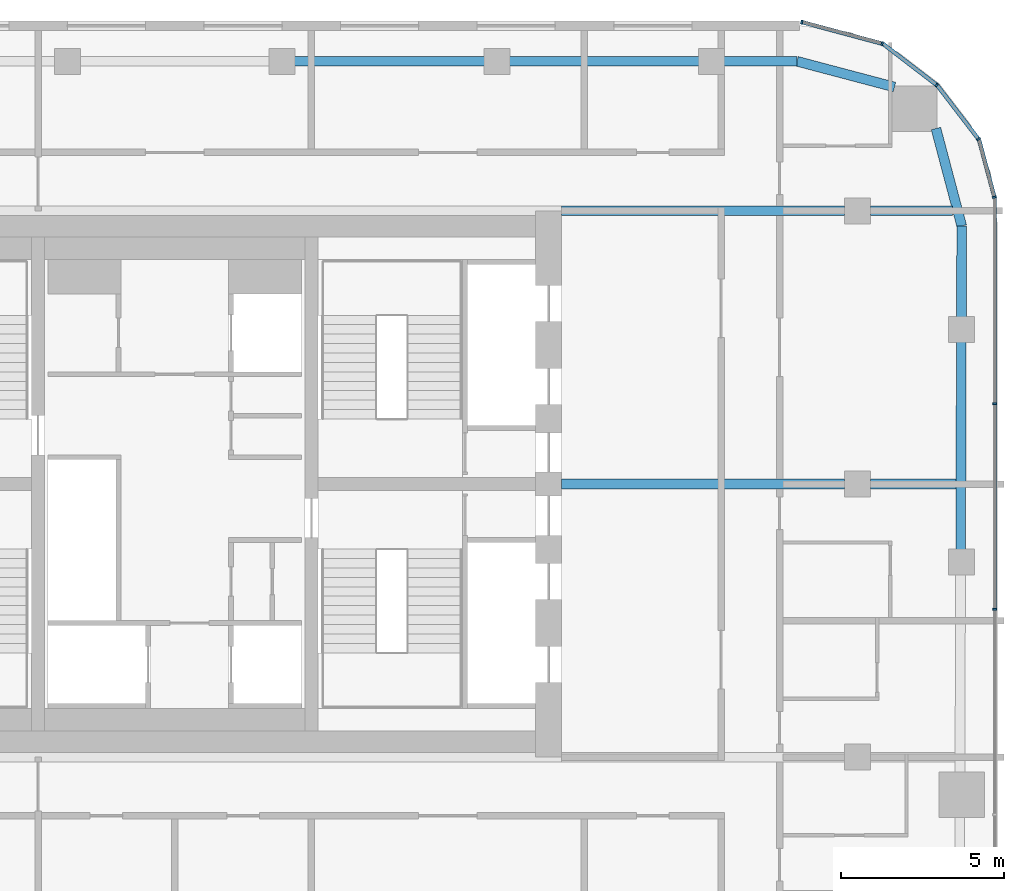
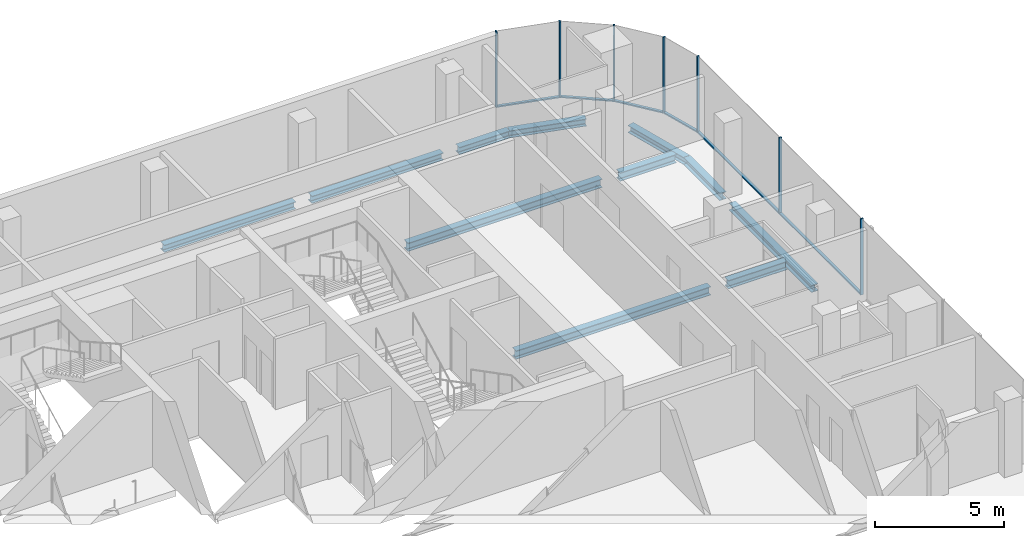
# One storey, part 11 of 22: 13 members, 11 beams, 5 elements without a shape of their own.
"""IFC4 building model written with IfcOpenShell, lengths in metres."""

import ifcopenshell
import ifcopenshell.guid

model = None  # the IFC model being written
_history = None  # IfcOwnerHistory: only IFC2X3 demands one
_inside = {}  # id of a spatial element -> (the spatial element, [elements in it])
_under = {}  # id of a project, library or spatial element -> (it, [spatial elements below it])
_declared = {}  # id of a project -> (the project, [libraries it declares])
_typed = {}  # id of a type object -> (the type object, [elements of that type])
_made_of = {}  # id of a material, layer set ... -> (it, [elements and type objects made of it])


def new_model(schema):
    """Start an empty IFC model of exactly this schema.

    Asked for "IFC4X3", IfcOpenShell would pick the latest addendum, in which some entities
    have other attributes; the version numbers below select the first issue.
    IFC2X3 requires an IfcOwnerHistory on every rooted entity: one is made here for all.
    """
    global model, _history
    if schema == "IFC4X3":
        model = ifcopenshell.file(schema_version=(4, 3, 0, 0))
    else:
        model = ifcopenshell.file(schema=schema)
    _inside.clear()
    _under.clear()
    _declared.clear()
    _typed.clear()
    _made_of.clear()
    _history = None
    if model.schema == "IFC2X3":
        org = make("IfcOrganization", Name="unknown")
        user = make(
            "IfcPersonAndOrganization",
            ThePerson=make("IfcPerson", FamilyName="unknown"),
            TheOrganization=org,
        )
        app = make(
            "IfcApplication",
            ApplicationDeveloper=org,
            Version="unknown",
            ApplicationFullName="unknown",
            ApplicationIdentifier="unknown",
        )
        _history = make(
            "IfcOwnerHistory",
            OwningUser=user,
            OwningApplication=app,
            ChangeAction="ADDED",
            CreationDate=0,
        )
    return model


def make(cls, **values):
    """One entity of the class cls with the attributes given. An attribute that is None is left unset."""
    return model.create_entity(
        cls, **{name: value for name, value in values.items() if value is not None}
    )


def rooted(cls, **values):
    """An entity with a GlobalId (a new one), such as an element, a storey or a relation."""
    return make(cls, GlobalId=ifcopenshell.guid.new(), OwnerHistory=_history, **values)


def si_unit(unit_type, name, prefix=None):
    """IfcSIUnit, for example si_unit("LENGTHUNIT", "METRE", prefix="MILLI")."""
    return make("IfcSIUnit", UnitType=unit_type, Prefix=prefix, Name=name)


def assignment(units):
    """IfcUnitAssignment: the units of a project."""
    return None if units is None else make("IfcUnitAssignment", Units=units)


def point(xyz):
    """IfcCartesianPoint."""
    return None if xyz is None else make("IfcCartesianPoint", Coordinates=xyz)


def direction(xyz):
    """IfcDirection."""
    return None if xyz is None else make("IfcDirection", DirectionRatios=xyz)


def frame(location, z_axis=None, x_axis=None):
    """IfcAxis2Placement3D, a coordinate frame: its origin and axes. An axis left out is left unset."""
    return make(
        "IfcAxis2Placement3D",
        Location=point(location),
        Axis=direction(z_axis),
        RefDirection=direction(x_axis),
    )


def frame_2d(location, x_axis=None):
    """IfcAxis2Placement2D, a coordinate frame in the plane: its origin and x axis."""
    return make(
        "IfcAxis2Placement2D", Location=point(location), RefDirection=direction(x_axis)
    )


def origin():
    """The frame at (0, 0, 0) with its axes left unset."""
    return frame((0.0, 0.0, 0.0))


def origin_2d():
    """The frame at (0, 0) in the plane with its x axis left unset."""
    return frame_2d((0.0, 0.0))


def place(relative_to, where):
    """IfcLocalPlacement: puts the frame where relative to a parent placement (None: the world)."""
    return make(
        "IfcLocalPlacement", PlacementRelTo=relative_to, RelativePlacement=where
    )


def context(
    kind, dimensions, precision=None, world=None, true_north=None, identifier=None
):
    """IfcGeometricRepresentationContext, for example the 3D "Model" context."""
    return make(
        "IfcGeometricRepresentationContext",
        ContextIdentifier=identifier,
        ContextType=kind,
        CoordinateSpaceDimension=dimensions,
        Precision=precision,
        WorldCoordinateSystem=world,
        TrueNorth=true_north,
    )


def subcontext(parent, identifier, kind, view, scale=None):
    """IfcGeometricRepresentationSubContext, for example "Body" below "Model"."""
    return make(
        "IfcGeometricRepresentationSubContext",
        ContextIdentifier=identifier,
        ContextType=kind,
        ParentContext=parent,
        TargetScale=scale,
        TargetView=view,
    )


def project(units=None, contexts=None):
    """IfcProject with its units and contexts."""
    return rooted(
        "IfcProject",
        Name="project",
        RepresentationContexts=contexts,
        UnitsInContext=assignment(units),
    )


def spatial(cls, under=None, at=None, **own):
    """A site, building, storey or space (cls), placed at a placement, below another one or the project."""
    s = rooted(cls, ObjectPlacement=at, **own)
    if under is not None:
        _under.setdefault(under.id(), (under, []))[1].append(s)
    return s


def profile(cls, at=None, kind="AREA", **sizes):
    """A parametric profile (cls). Its sizes go by their IFC names, for example OverallWidth=200.0."""
    return make(cls, ProfileType=kind, Position=at, **sizes)


def rectangle(**sizes):
    """IfcRectangleProfileDef."""
    return profile("IfcRectangleProfileDef", **sizes)


def i_section(**sizes):
    """IfcIShapeProfileDef."""
    return profile("IfcIShapeProfileDef", **sizes)


def extrude(swept, where, along, depth):
    """IfcExtrudedAreaSolid: the profile swept, set in the frame where, extruded along a direction by depth."""
    return make(
        "IfcExtrudedAreaSolid",
        SweptArea=swept,
        Position=where,
        ExtrudedDirection=direction(along),
        Depth=depth,
    )


def shape(context_of_items, identifier, shape_type, items):
    """IfcShapeRepresentation: the items that make up one representation, for example the "Body"."""
    return make(
        "IfcShapeRepresentation",
        ContextOfItems=context_of_items,
        RepresentationIdentifier=identifier,
        RepresentationType=shape_type,
        Items=items,
    )


def material(Name=None, Category=None):
    """IfcMaterial."""
    return make("IfcMaterial", Name=Name, Category=Category)


def layer(
    of_material, thickness, ventilated=None, Name=None, Category=None, Priority=None
):
    """IfcMaterialLayer: one layer of a wall or slab, of a material (None: an air gap)."""
    return make(
        "IfcMaterialLayer",
        Material=of_material,
        LayerThickness=thickness,
        IsVentilated=ventilated,
        Name=Name,
        Category=Category,
        Priority=Priority,
    )


def layer_set(layers, Name=None):
    """IfcMaterialLayerSet."""
    return make("IfcMaterialLayerSet", MaterialLayers=layers, LayerSetName=Name)


def material_profile(
    of_material, cross_section, Name=None, Category=None, Priority=None
):
    """IfcMaterialProfile: a cross section and its material."""
    return make(
        "IfcMaterialProfile",
        Name=Name,
        Material=of_material,
        Profile=cross_section,
        Priority=Priority,
        Category=Category,
    )


def profile_set(profiles, Name=None, composite=None):
    """IfcMaterialProfileSet."""
    return make(
        "IfcMaterialProfileSet",
        Name=Name,
        MaterialProfiles=profiles,
        CompositeProfile=composite,
    )


def made_of(thing, what):
    """Note that an element or type object is made of a material, layer set ...; save() writes the relation."""
    if what is not None:
        _made_of.setdefault(what.id(), (what, []))[1].append(thing)
    return thing


def type_object(cls, material=None, **own):
    """A type object (cls), such as IfcWallType, which elements share."""
    return made_of(rooted(cls, **own), material)


def element(
    cls,
    number,
    at=None,
    inside=None,
    cuts=None,
    type_object=None,
    material=None,
    context=None,
    identifier="Body",
    shape_type=None,
    held_by="IfcProductDefinitionShape",
    body=None,
    shapes=None,
    **own,
):
    """One element of the class cls, such as IfcWall. Its Tag is "e" and its number.

    at: its placement. inside: the storey or other place that contains it. cuts: it is an
    opening in that element (IfcRelVoidsElement). A single representation is given by context,
    identifier, shape_type and body (its items); several are given by shapes. held_by: the class
    of the entity that holds the representations. save() writes the other relations.
    """
    e = rooted(cls, Tag="e%d" % number, ObjectPlacement=at, **own)
    if body is not None:
        shapes = [shape(context, identifier, shape_type, body)]
    if shapes is not None:
        e.Representation = make(held_by, Representations=shapes)
    if inside is not None:
        _inside.setdefault(inside.id(), (inside, []))[1].append(e)
    if cuts is not None:
        rooted(
            "IfcRelVoidsElement", RelatingBuildingElement=cuts, RelatedOpeningElement=e
        )
    if type_object is not None:
        _typed.setdefault(type_object.id(), (type_object, []))[1].append(e)
    return made_of(e, material)


def aggregate(whole, parts):
    """IfcRelAggregates: a whole, such as a stair, and the parts it consists of."""
    return rooted("IfcRelAggregates", RelatingObject=whole, RelatedObjects=parts)


def save(model, path):
    """Write the relations noted so far, then the file.

    IfcRelAggregates (storeys below a building ...), IfcRelContainedInSpatialStructure (elements
    in a storey), IfcRelDefinesByType, IfcRelAssociatesMaterial and IfcRelDeclares: one each for
    every whole, place, type object, material and project.
    """
    for whole, parts in _under.values():
        aggregate(whole, parts)
    for where, things in _inside.values():
        rooted(
            "IfcRelContainedInSpatialStructure",
            RelatedElements=things,
            RelatingStructure=where,
        )
    for kind, things in _typed.values():
        rooted("IfcRelDefinesByType", RelatedObjects=things, RelatingType=kind)
    for what, things in _made_of.values():
        rooted("IfcRelAssociatesMaterial", RelatedObjects=things, RelatingMaterial=what)
    for by, libraries in _declared.values():
        rooted("IfcRelDeclares", RelatingContext=by, RelatedDefinitions=libraries)
    model.write(path)


model = new_model("IFC4")

# Units and contexts
model_context = context("Model", 3, precision=1e-05, world=origin(), true_north=direction((0.0, 1.0)))
body_context = subcontext(model_context, "Body", "Model", "MODEL_VIEW")
ifc_project = project(units=[si_unit("LENGTHUNIT", "METRE"), si_unit("AREAUNIT", "SQUARE_METRE"), si_unit("VOLUMEUNIT", "CUBIC_METRE"), si_unit("PLANEANGLEUNIT", "RADIAN"), si_unit("MASSUNIT", "GRAM", prefix="KILO")], contexts=[model_context])

# Site, building, storey
site_placement = place(None, origin())
site = spatial("IfcSite", under=ifc_project, at=site_placement, CompositionType="ELEMENT")
building_placement = place(site_placement, origin())
building = spatial("IfcBuilding", under=site, at=building_placement, Name="Marenta Gate Hotel Tower", CompositionType="ELEMENT")
storey_placement = place(building_placement, frame((0.0, 0.0, 194.89990234375)))
storey = spatial("IfcBuildingStorey", under=building, at=storey_placement, Name="L44", CompositionType="ELEMENT", Elevation=194.89990234375)

# Beams
ifc_material_1 = material(Name="Steel S355", Category="steel")
ifc_material_profile_1 = material_profile(ifc_material_1, i_section(OverallWidth=0.300048828125, OverallDepth=0.340087890625, WebThickness=0.011962890625, FlangeThickness=0.021484375, FilletRadius=0.027099609375, at=origin_2d()), Name="HEB 340")
ifc_profile_set_1 = profile_set([ifc_material_profile_1], Name="Steel S355")
beam_type_1 = type_object("IfcBeamType", Name="Edge beam HEB 340", PredefinedType="SPANDREL", material=ifc_profile_set_1)
for number, where, z_axis, x_axis, name in (
    (1, (3.661376953125, 21.39990234375, -0.429931640625), (1.0, 0.0, 0.0), (0.0, 1.0, 0.0), "L44-EB-17"),
    (2, (10.26416015625, 21.39990234375, -0.429931640625), (1.0, 0.0, 0.0), (0.0, 1.0, 0.0), "L44-EB-18"),
):
    element("IfcBeam", number, at=place(storey_placement, frame(where, z_axis=z_axis, x_axis=x_axis)), inside=storey, type_object=beam_type_1, Name=name, PredefinedType="SPANDREL", context=body_context, shape_type="SweptSolid", body=[
        extrude(i_section(OverallWidth=0.300048828125, OverallDepth=0.340087890625, WebThickness=0.011962890625, FlangeThickness=0.021484375, FilletRadius=0.027099609375, at=origin_2d()), origin(), (0.0, 0.0, 1.0), 5.8828125),
    ])
beam_1_placement = place(storey_placement, frame((16.866943359375, 21.39990234375, -0.429931640625), z_axis=(1.0, 0.0, 0.0), x_axis=(0.0, 1.0, 0.0)))
element("IfcBeam", 3, at=beam_1_placement, inside=storey, type_object=beam_type_1, Name="L44-EB-19", PredefinedType="SPANDREL", context=body_context, shape_type="SweptSolid", body=[
    extrude(i_section(OverallWidth=0.300048828125, OverallDepth=0.340087890625, WebThickness=0.011962890625, FlangeThickness=0.021484375, FilletRadius=0.027099609375, at=origin_2d()), origin(), (0.0, 0.0, 1.0), 2.267578125),
])
beam_2_placement = place(storey_placement, frame((19.134521484375, 21.39990234375, -0.429931640625), z_axis=(0.9667647815, -0.25566747398, 0.0), x_axis=(0.25566747398, 0.9667647815, 0.0)))
element("IfcBeam", 4, at=beam_2_placement, inside=storey, type_object=beam_type_1, Name="L44-EB-20", PredefinedType="SPANDREL", context=body_context, shape_type="SweptSolid", body=[
    extrude(i_section(OverallWidth=0.300048828125, OverallDepth=0.340087890625, WebThickness=0.011962890625, FlangeThickness=0.021484375, FilletRadius=0.027099609375, at=origin_2d()), origin(), (0.0, 0.0, 1.0), 3.1005859375),
])
beam_3_placement = place(storey_placement, frame((23.4072265625, 19.332275390625, -0.429931640625), z_axis=(0.255648013319, -0.966769927794, 0.0), x_axis=(0.966769927794, 0.255648013319, 0.0)))
element("IfcBeam", 5, at=beam_3_placement, inside=storey, type_object=beam_type_1, Name="L44-EB-21", PredefinedType="SPANDREL", context=body_context, shape_type="SweptSolid", body=[
    extrude(i_section(OverallWidth=0.300048828125, OverallDepth=0.340087890625, WebThickness=0.011962890625, FlangeThickness=0.021484375, FilletRadius=0.027099609375, at=origin_2d()), origin(), (0.0, 0.0, 1.0), 3.100830078125),
])
beam_4_placement = place(storey_placement, frame((24.199951171875, 16.33447265625, -0.429931640625), z_axis=(-0.003292020626, -0.999994581285, 0.0), x_axis=(0.999994581285, -0.003292020626, 0.0)))
element("IfcBeam", 6, at=beam_4_placement, inside=storey, type_object=beam_type_1, Name="L44-EB-22", PredefinedType="SPANDREL", context=body_context, shape_type="SweptSolid", body=[
    extrude(i_section(OverallWidth=0.300048828125, OverallDepth=0.340087890625, WebThickness=0.011962890625, FlangeThickness=0.021484375, FilletRadius=0.027099609375, at=origin_2d()), origin(), (0.0, 0.0, 1.0), 2.818115234375),
])
beam_5_placement = place(storey_placement, frame((24.188232421875, 12.79638671875, -0.429931640625), z_axis=(-0.00333963982, -0.999994423387, 0.0), x_axis=(0.999994423387, -0.00333963982, 0.0)))
element("IfcBeam", 7, at=beam_5_placement, inside=storey, type_object=beam_type_1, Name="L44-EB-23", PredefinedType="SPANDREL", context=body_context, shape_type="SweptSolid", body=[
    extrude(i_section(OverallWidth=0.300048828125, OverallDepth=0.340087890625, WebThickness=0.011962890625, FlangeThickness=0.021484375, FilletRadius=0.027099609375, at=origin_2d()), origin(), (0.0, 0.0, 1.0), 6.43310546875),
])
ifc_material_2 = material(Name="Steel S355", Category="steel")
ifc_material_profile_2 = material_profile(ifc_material_2, i_section(OverallWidth=0.300048828125, OverallDepth=0.39990234375, WebThickness=0.013427734375, FlangeThickness=0.02392578125, FilletRadius=0.027099609375, at=origin_2d()), Name="HEB 400")
ifc_profile_set_2 = profile_set([ifc_material_profile_2], Name="Steel S355")
beam_type_2 = type_object("IfcBeamType", Name="Girder HEB 400", PredefinedType="BEAM", material=ifc_profile_set_2)
beam_6_placement = place(storey_placement, frame((11.89990234375, 8.39990234375, -0.4599609375), z_axis=(1.0, 0.0, 0.0), x_axis=(0.0, 1.0, 0.0)))
element("IfcBeam", 8, at=beam_6_placement, inside=storey, type_object=beam_type_2, Name="L44-GD-27", PredefinedType="BEAM", context=body_context, shape_type="SweptSolid", body=[
    extrude(i_section(OverallWidth=0.300048828125, OverallDepth=0.39990234375, WebThickness=0.013427734375, FlangeThickness=0.02392578125, FilletRadius=0.027099609375, at=origin_2d()), origin(), (0.0, 0.0, 1.0), 8.7001953125),
])
beam_7_placement = place(storey_placement, frame((21.39990234375, 8.39990234375, -0.4599609375), z_axis=(1.0, 0.0, 0.0), x_axis=(0.0, 1.0, 0.0)))
element("IfcBeam", 9, at=beam_7_placement, inside=storey, type_object=beam_type_2, Name="L44-GD-28", PredefinedType="BEAM", context=body_context, shape_type="SweptSolid", body=[
    extrude(i_section(OverallWidth=0.300048828125, OverallDepth=0.39990234375, WebThickness=0.013427734375, FlangeThickness=0.02392578125, FilletRadius=0.027099609375, at=origin_2d()), origin(), (0.0, 0.0, 1.0), 2.623779296875),
])
beam_8_placement = place(storey_placement, frame((11.89990234375, 16.800048828125, -0.4599609375), z_axis=(1.0, 0.0, 0.0), x_axis=(0.0, 1.0, 0.0)))
element("IfcBeam", 10, at=beam_8_placement, inside=storey, type_object=beam_type_2, Name="L44-GD-32", PredefinedType="BEAM", context=body_context, shape_type="SweptSolid", body=[
    extrude(i_section(OverallWidth=0.300048828125, OverallDepth=0.39990234375, WebThickness=0.013427734375, FlangeThickness=0.02392578125, FilletRadius=0.027099609375, at=origin_2d()), origin(), (0.0, 0.0, 1.0), 8.7001953125),
])
beam_9_placement = place(storey_placement, frame((21.39990234375, 16.800048828125, -0.4599609375), z_axis=(1.0, 0.0, 0.0), x_axis=(0.0, 1.0, 0.0)))
element("IfcBeam", 11, at=beam_9_placement, inside=storey, type_object=beam_type_2, Name="L44-GD-33", PredefinedType="BEAM", context=body_context, shape_type="SweptSolid", body=[
    extrude(i_section(OverallWidth=0.300048828125, OverallDepth=0.39990234375, WebThickness=0.013427734375, FlangeThickness=0.02392578125, FilletRadius=0.027099609375, at=origin_2d()), origin(), (0.0, 0.0, 1.0), 2.521728515625),
])

# Curtain wall, members
ifc_material_3 = material(Name="Tinted insulated glass in bronze anodised frame", Category="glass")
ifc_layer = layer(ifc_material_3, 0.1201171875)
ifc_layer_set = layer_set([ifc_layer], Name="Tinted insulated glass in bronze anodised frame")
curtain_wall_type = type_object("IfcCurtainWallType", Name="Tower unitised curtain wall CW1", PredefinedType="NOTDEFINED", material=ifc_layer_set)
curtain_wall_1_placement = place(storey_placement, origin())
curtain_wall_1 = element("IfcCurtainWall", 12, at=curtain_wall_1_placement, inside=storey, type_object=curtain_wall_type, Name="CW1 run G11", PredefinedType="NOTDEFINED")
ifc_material_4 = material(Name="Bronze anodised aluminium", Category="aluminium")
ifc_material_profile_3 = material_profile(ifc_material_4, rectangle(XDim=0.1201171875, YDim=0.06005859375, at=origin_2d()), Name="Mullion CW1 60x120 bronze anodised aluminium")
ifc_profile_set_3 = profile_set([ifc_material_profile_3], Name="Bronze anodised aluminium")
member_type_1 = type_object("IfcMemberType", Name="Mullion CW1 60x120 bronze anodised aluminium", PredefinedType="MULLION", material=ifc_profile_set_3)
member_1_placement = place(storey_placement, frame((25.214111328125, 4.546630859375, 0.0), z_axis=(0.0, 0.0, 1.0), x_axis=(-1.0, 0.0, 0.0)))
member_1 = element("IfcMember", 13, at=member_1_placement, type_object=member_type_1, Name="CW1 mullion 5", PredefinedType="MULLION", context=body_context, shape_type="SweptSolid", body=[
    extrude(rectangle(XDim=0.1201171875, YDim=0.06005859375, at=origin_2d()), origin(), (0.0, 0.0, 1.0), 3.60009765625),
])
member_2_placement = place(storey_placement, frame((25.214111328125, 10.869384765625, 0.0), z_axis=(0.0, 0.0, 1.0), x_axis=(-1.0, 0.0, 0.0)))
member_2 = element("IfcMember", 14, at=member_2_placement, type_object=member_type_1, Name="CW1 mullion 6", PredefinedType="MULLION", context=body_context, shape_type="SweptSolid", body=[
    extrude(rectangle(XDim=0.1201171875, YDim=0.06005859375, at=origin_2d()), origin(), (0.0, 0.0, 1.0), 3.60009765625),
])

# Curtain wall, member
curtain_wall_2_placement = place(storey_placement, origin())
curtain_wall_2 = element("IfcCurtainWall", 15, at=curtain_wall_2_placement, inside=storey, type_object=curtain_wall_type, Name="CW1 run G12", PredefinedType="NOTDEFINED")
member_3_placement = place(storey_placement, frame((25.206298828125, 17.220947265625, 0.0), z_axis=(0.0, 0.0, 1.0), x_axis=(-0.965924453932, -0.258824166754, 0.0)))
member_3 = element("IfcMember", 16, at=member_3_placement, type_object=member_type_1, Name="CW1 mullion 1", PredefinedType="MULLION", context=body_context, shape_type="SweptSolid", body=[
    extrude(rectangle(XDim=0.1201171875, YDim=0.06005859375, at=origin_2d()), origin(), (0.0, 0.0, 1.0), 3.60009765625),
])

curtain_wall_3_placement = place(storey_placement, origin())
curtain_wall_3 = element("IfcCurtainWall", 17, at=curtain_wall_3_placement, inside=storey, type_object=curtain_wall_type, Name="CW1 run G13", PredefinedType="NOTDEFINED")
member_4_placement = place(storey_placement, frame((24.7158203125, 19.00634765625, 0.0), z_axis=(0.0, 0.0, 1.0), x_axis=(-0.793333335233, -0.608787499222, 0.0)))
member_4 = element("IfcMember", 18, at=member_4_placement, type_object=member_type_1, Name="CW1 mullion 1", PredefinedType="MULLION", context=body_context, shape_type="SweptSolid", body=[
    extrude(rectangle(XDim=0.1201171875, YDim=0.06005859375, at=origin_2d()), origin(), (0.0, 0.0, 1.0), 3.60009765625),
])

curtain_wall_4_placement = place(storey_placement, origin())
curtain_wall_4 = element("IfcCurtainWall", 19, at=curtain_wall_4_placement, inside=storey, type_object=curtain_wall_type, Name="CW1 run G14", PredefinedType="NOTDEFINED")
member_5_placement = place(storey_placement, frame((23.4287109375, 20.6708984375, 0.0), z_axis=(0.0, 0.0, 1.0), x_axis=(-0.608787499222, -0.793333335233, 0.0)))
member_5 = element("IfcMember", 20, at=member_5_placement, type_object=member_type_1, Name="CW1 mullion 1", PredefinedType="MULLION", context=body_context, shape_type="SweptSolid", body=[
    extrude(rectangle(XDim=0.1201171875, YDim=0.06005859375, at=origin_2d()), origin(), (0.0, 0.0, 1.0), 3.60009765625),
])

# Curtain wall, members
curtain_wall_5_placement = place(storey_placement, origin())
curtain_wall_5 = element("IfcCurtainWall", 21, at=curtain_wall_5_placement, inside=storey, type_object=curtain_wall_type, Name="CW1 run G15", PredefinedType="NOTDEFINED")
member_6_placement = place(storey_placement, frame((21.75341796875, 21.94189453125, 0.0), z_axis=(0.0, 0.0, 1.0), x_axis=(-0.258804895175, -0.96592961764, 0.0)))
member_6 = element("IfcMember", 22, at=member_6_placement, type_object=member_type_1, Name="CW1 mullion 1", PredefinedType="MULLION", context=body_context, shape_type="SweptSolid", body=[
    extrude(rectangle(XDim=0.1201171875, YDim=0.06005859375, at=origin_2d()), origin(), (0.0, 0.0, 1.0), 3.60009765625),
])
member_7_placement = place(storey_placement, frame((19.285400390625, 22.603271484375, 0.0), z_axis=(0.0, 0.0, 1.0), x_axis=(-0.258804895175, -0.96592961764, 0.0)))
member_7 = element("IfcMember", 23, at=member_7_placement, type_object=member_type_1, Name="CW1 mullion 2", PredefinedType="MULLION", context=body_context, shape_type="SweptSolid", body=[
    extrude(rectangle(XDim=0.1201171875, YDim=0.06005859375, at=origin_2d()), origin(), (0.0, 0.0, 1.0), 3.60009765625),
])

# Member
ifc_material_5 = material(Name="Bronze anodised aluminium", Category="aluminium")
ifc_material_profile_4 = material_profile(ifc_material_5, rectangle(XDim=0.1201171875, YDim=0.06005859375, at=origin_2d()), Name="Transom CW1 60x120 bronze anodised aluminium")
ifc_profile_set_4 = profile_set([ifc_material_profile_4], Name="Bronze anodised aluminium")
member_type_2 = type_object("IfcMemberType", Name="Transom CW1 60x120 bronze anodised aluminium", PredefinedType="USERDEFINED", material=ifc_profile_set_4)
member_8_placement = place(storey_placement, frame((25.214111328125, 4.57666015625, 0.030029296875), z_axis=(0.0, 1.0, 0.0), x_axis=(-1.0, 0.0, 0.0)))
member_8 = element("IfcMember", 24, at=member_8_placement, type_object=member_type_2, Name="CW1 transom 5.1", ObjectType="TRANSOM", PredefinedType="USERDEFINED", context=body_context, shape_type="SweptSolid", body=[
    extrude(rectangle(XDim=0.1201171875, YDim=0.06005859375, at=origin_2d()), origin(), (0.0, 0.0, 1.0), 6.2626953125),
])

member_9_placement = place(storey_placement, frame((25.214111328125, 10.899169921875, 0.030029296875), z_axis=(0.0, 1.0, 0.0), x_axis=(-1.0, 0.0, 0.0)))
member_9 = element("IfcMember", 25, at=member_9_placement, type_object=member_type_2, Name="CW1 transom 6.1", ObjectType="TRANSOM", PredefinedType="USERDEFINED", context=body_context, shape_type="SweptSolid", body=[
    extrude(rectangle(XDim=0.1201171875, YDim=0.06005859375, at=origin_2d()), origin(), (0.0, 0.0, 1.0), 6.292724609375),
])

aggregate(curtain_wall_1, [member_1, member_2, member_8, member_9])

member_10_placement = place(storey_placement, frame((25.198486328125, 17.249755859375, 0.030029296875), z_axis=(-0.258865341007, 0.96591342015, 0.0), x_axis=(-0.96591342015, -0.258865341007, 0.0)))
member_10 = element("IfcMember", 26, at=member_10_placement, type_object=member_type_2, Name="CW1 transom 1.1", ObjectType="TRANSOM", PredefinedType="USERDEFINED", context=body_context, shape_type="SweptSolid", body=[
    extrude(rectangle(XDim=0.1201171875, YDim=0.06005859375, at=origin_2d()), origin(), (0.0, 0.0, 1.0), 1.793701171875),
])

aggregate(curtain_wall_2, [member_3, member_10])

member_11_placement = place(storey_placement, frame((24.69775390625, 19.030029296875, 0.030029296875), z_axis=(-0.608787337271, 0.79333345951, 0.0), x_axis=(-0.79333345951, -0.608787337271, 0.0)))
member_11 = element("IfcMember", 27, at=member_11_placement, type_object=member_type_2, Name="CW1 transom 1.1", ObjectType="TRANSOM", PredefinedType="USERDEFINED", context=body_context, shape_type="SweptSolid", body=[
    extrude(rectangle(XDim=0.1201171875, YDim=0.06005859375, at=origin_2d()), origin(), (0.0, 0.0, 1.0), 2.045166015625),
])

aggregate(curtain_wall_3, [member_4, member_11])

member_12_placement = place(storey_placement, frame((23.405029296875, 20.689208984375, 0.030029296875), z_axis=(-0.793391112466, 0.60871220019, 0.0), x_axis=(-0.60871220019, -0.793391112466, 0.0)))
member_12 = element("IfcMember", 28, at=member_12_placement, type_object=member_type_2, Name="CW1 transom 1.1", ObjectType="TRANSOM", PredefinedType="USERDEFINED", context=body_context, shape_type="SweptSolid", body=[
    extrude(rectangle(XDim=0.1201171875, YDim=0.06005859375, at=origin_2d()), origin(), (0.0, 0.0, 1.0), 2.045166015625),
])

aggregate(curtain_wall_4, [member_5, member_12])

member_13_placement = place(storey_placement, frame((21.724609375, 21.94970703125, 0.030029296875), z_axis=(-0.965930582093, 0.258801295547, 0.0), x_axis=(-0.258801295547, -0.965930582093, 0.0)))
member_13 = element("IfcMember", 29, at=member_13_placement, type_object=member_type_2, Name="CW1 transom 1.1", ObjectType="TRANSOM", PredefinedType="USERDEFINED", context=body_context, shape_type="SweptSolid", body=[
    extrude(rectangle(XDim=0.1201171875, YDim=0.06005859375, at=origin_2d()), origin(), (0.0, 0.0, 1.0), 2.4951171875),
])

aggregate(curtain_wall_5, [member_6, member_7, member_13])

save(model, "model.ifc")
